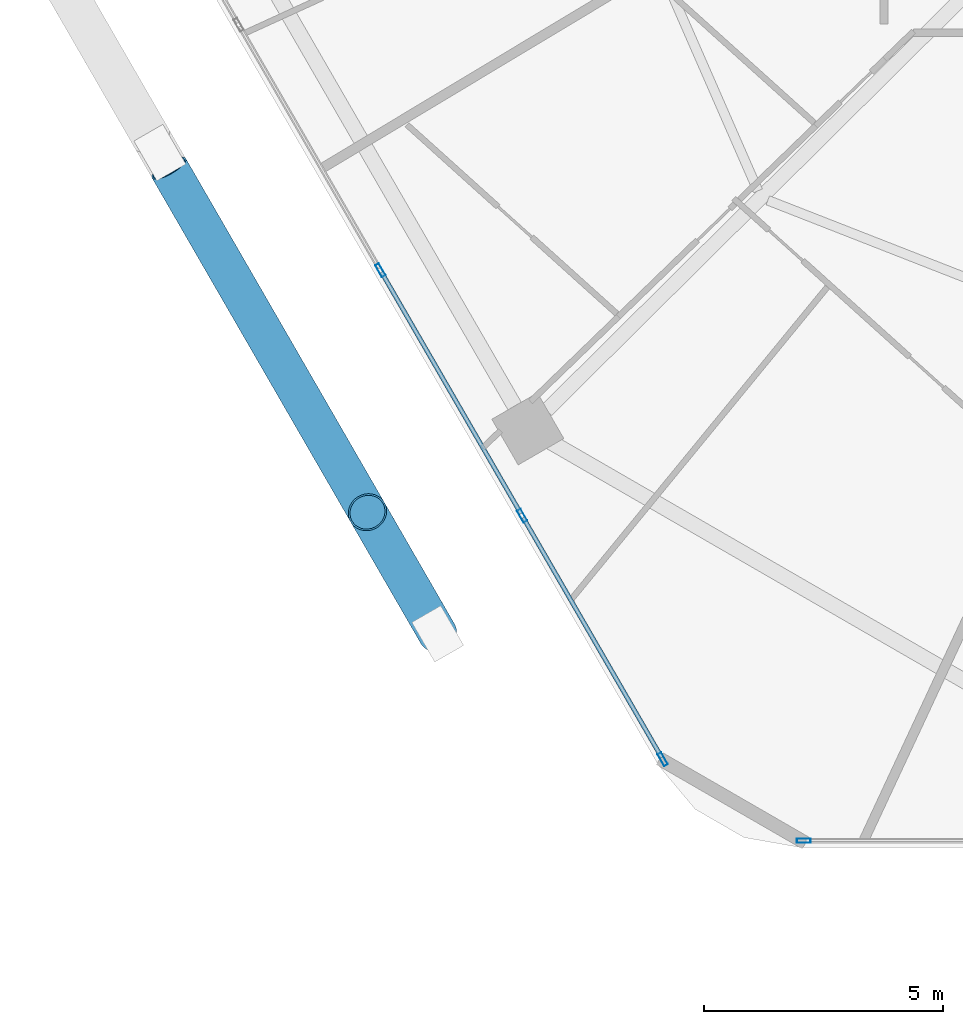
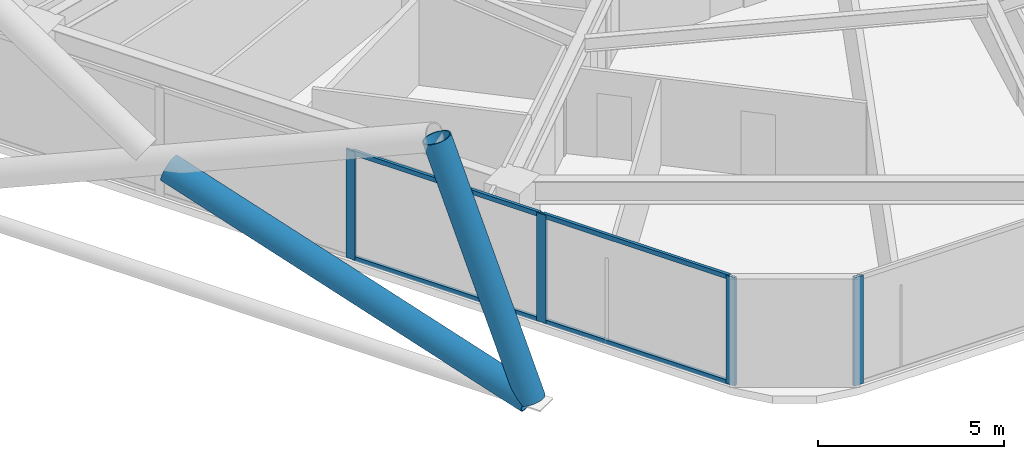
# One storey, part 2 of 36: 10 members, 2 elements without a shape of their own.
"""IFC4 building model written with IfcOpenShell, lengths in metres."""

from ifc_helpers import new_model, si_unit, direction, frame, origin, origin_2d, place, context, subcontext, project, spatial, hollow_rectangle, hollow_circle, extrude, material, material_profile, profile_set, type_object, element, aggregate, save


model = new_model("IFC4")

# Units and contexts
model_context = context("Model", 3, precision=1e-05, world=origin(), true_north=direction((0.0, 1.0)))
body_context = subcontext(model_context, "Body", "Model", "MODEL_VIEW")
ifc_project = project(units=[si_unit("LENGTHUNIT", "METRE"), si_unit("AREAUNIT", "SQUARE_METRE"), si_unit("VOLUMEUNIT", "CUBIC_METRE"), si_unit("PLANEANGLEUNIT", "RADIAN"), si_unit("MASSUNIT", "GRAM", prefix="KILO")], contexts=[model_context])

# Site, building, storey
site_placement = place(None, origin())
site = spatial("IfcSite", under=ifc_project, at=site_placement, CompositionType="ELEMENT")
building_placement = place(site_placement, origin())
building = spatial("IfcBuilding", under=site, at=building_placement, Name="Zuhravey Tower", CompositionType="ELEMENT")
storey_placement = place(building_placement, frame((0.0, 0.0, 107.60009765625)))
storey = spatial("IfcBuildingStorey", under=building, at=storey_placement, Name="L26", CompositionType="ELEMENT", Elevation=107.60009765625)

# Curtain wall, member
ifc_material_1 = material(Name="Thermally broken anodised aluminium", Category="aluminium")
curtain_wall_type = type_object("IfcCurtainWallType", Name="Zone 1-2 Residential Curtain Wall CW3", PredefinedType="NOTDEFINED", material=ifc_material_1)
curtain_wall_1_placement = place(storey_placement, origin())
curtain_wall_1 = element("IfcCurtainWall", 1, at=curtain_wall_1_placement, inside=storey, type_object=curtain_wall_type, Name="L26 CW3 CW-L26-F5-1", PredefinedType="NOTDEFINED")
ifc_material_2 = material(Name="Anodised aluminium", Category="aluminium")
ifc_material_profile_1 = material_profile(ifc_material_2, hollow_rectangle(XDim=0.090087890625, YDim=0.284912109375, WallThickness=0.0048828125, at=origin_2d()), Name="ALU-RHS-90x285x5")
ifc_profile_set_1 = profile_set([ifc_material_profile_1], Name="Anodised aluminium")
member_type_1 = type_object("IfcMemberType", Name="Curtain-Wall Mullion 90x180", PredefinedType="MULLION", material=ifc_profile_set_1)
member_1_placement = place(storey_placement, frame((21.24560546875, 3.04150390625, 0.0), z_axis=(0.0, 0.0, 1.0), x_axis=(0.0, -1.0, 0.0)))
member_1 = element("IfcMember", 2, at=member_1_placement, type_object=member_type_1, Name="CW3 mullion 6", PredefinedType="MULLION", context=body_context, shape_type="SweptSolid", body=[
    extrude(hollow_rectangle(XDim=0.090087890625, YDim=0.284912109375, WallThickness=0.0048828125, at=origin_2d()), origin(), (0.0, 0.0, 1.0), 3.5498046875),
])
aggregate(curtain_wall_1, [member_1])

# Curtain wall, members
curtain_wall_2_placement = place(storey_placement, origin())
curtain_wall_2 = element("IfcCurtainWall", 3, at=curtain_wall_2_placement, inside=storey, type_object=curtain_wall_type, Name="L26 CW3 CW-L26-F4-1", PredefinedType="NOTDEFINED")
member_2_placement = place(storey_placement, frame((18.298583984375, 4.742919921875, 0.0), z_axis=(0.0, 0.0, 1.0), x_axis=(-0.86602552265, -0.499999794119, 0.0)))
member_2 = element("IfcMember", 4, at=member_2_placement, type_object=member_type_1, Name="CW3 mullion 1", PredefinedType="MULLION", context=body_context, shape_type="SweptSolid", body=[
    extrude(hollow_rectangle(XDim=0.090087890625, YDim=0.284912109375, WallThickness=0.0048828125, at=origin_2d()), origin(), (0.0, 0.0, 1.0), 3.5498046875),
])
member_3_placement = place(storey_placement, frame((15.361083984375, 9.830810546875, 0.0), z_axis=(0.0, 0.0, 1.0), x_axis=(-0.86602552265, -0.499999794119, 0.0)))
member_3 = element("IfcMember", 5, at=member_3_placement, type_object=member_type_1, Name="CW3 mullion 2", PredefinedType="MULLION", context=body_context, shape_type="SweptSolid", body=[
    extrude(hollow_rectangle(XDim=0.090087890625, YDim=0.284912109375, WallThickness=0.0048828125, at=origin_2d()), origin(), (0.0, 0.0, 1.0), 3.5498046875),
])
member_4_placement = place(storey_placement, frame((12.401123046875, 14.95751953125, 0.0), z_axis=(0.0, 0.0, 1.0), x_axis=(-0.86602552265, -0.499999794119, 0.0)))
member_4 = element("IfcMember", 6, at=member_4_placement, type_object=member_type_1, Name="CW3 mullion 3", PredefinedType="MULLION", context=body_context, shape_type="SweptSolid", body=[
    extrude(hollow_rectangle(XDim=0.090087890625, YDim=0.284912109375, WallThickness=0.0048828125, at=origin_2d()), origin(), (0.0, 0.0, 1.0), 3.5498046875),
])
ifc_material_profile_2 = material_profile(ifc_material_2, hollow_rectangle(XDim=0.090087890625, YDim=0.14990234375, WallThickness=0.0048828125, at=origin_2d()), Name="ALU-RHS-90x150x5")
ifc_profile_set_2 = profile_set([ifc_material_profile_2], Name="Anodised aluminium")
member_type_2 = type_object("IfcMemberType", Name="Curtain-Wall Transom 90x150", PredefinedType="USERDEFINED", material=ifc_profile_set_2)
member_5_placement = place(storey_placement, frame((18.27587890625, 4.781982421875, 0.044921875), z_axis=(-0.499992798144, 0.866029561738, 0.0), x_axis=(-0.866029561738, -0.499992798144, 0.0)))
member_5 = element("IfcMember", 7, at=member_5_placement, type_object=member_type_2, Name="CW3 transom 1.1", ObjectType="TRANSOM", PredefinedType="USERDEFINED", context=body_context, shape_type="SweptSolid", body=[
    extrude(hollow_rectangle(XDim=0.090087890625, YDim=0.14990234375, WallThickness=0.0048828125, at=origin_2d()), origin(), (0.0, 0.0, 1.0), 5.78466796875),
])
member_6_placement = place(storey_placement, frame((18.27587890625, 4.781982421875, 3.5048828125), z_axis=(-0.499992798144, 0.866029561738, 0.0), x_axis=(-0.866029561738, -0.499992798144, 0.0)))
member_6 = element("IfcMember", 8, at=member_6_placement, type_object=member_type_2, Name="CW3 transom 1.2", ObjectType="TRANSOM", PredefinedType="USERDEFINED", context=body_context, shape_type="SweptSolid", body=[
    extrude(hollow_rectangle(XDim=0.090087890625, YDim=0.14990234375, WallThickness=0.0048828125, at=origin_2d()), origin(), (0.0, 0.0, 1.0), 5.78466796875),
])
member_7_placement = place(storey_placement, frame((15.338623046875, 9.86962890625, 0.044921875), z_axis=(-0.500012451049, 0.866018215049, 0.0), x_axis=(-0.866018215049, -0.500012451049, 0.0)))
member_7 = element("IfcMember", 9, at=member_7_placement, type_object=member_type_2, Name="CW3 transom 2.1", ObjectType="TRANSOM", PredefinedType="USERDEFINED", context=body_context, shape_type="SweptSolid", body=[
    extrude(hollow_rectangle(XDim=0.090087890625, YDim=0.14990234375, WallThickness=0.0048828125, at=origin_2d()), origin(), (0.0, 0.0, 1.0), 5.829833984375),
])
member_8_placement = place(storey_placement, frame((15.338623046875, 9.86962890625, 3.5048828125), z_axis=(-0.500012451049, 0.866018215049, 0.0), x_axis=(-0.866018215049, -0.500012451049, 0.0)))
member_8 = element("IfcMember", 10, at=member_8_placement, type_object=member_type_2, Name="CW3 transom 2.2", ObjectType="TRANSOM", PredefinedType="USERDEFINED", context=body_context, shape_type="SweptSolid", body=[
    extrude(hollow_rectangle(XDim=0.090087890625, YDim=0.14990234375, WallThickness=0.0048828125, at=origin_2d()), origin(), (0.0, 0.0, 1.0), 5.829833984375),
])
aggregate(curtain_wall_2, [member_2, member_3, member_4, member_5, member_6, member_7, member_8])

# Members
ifc_material_3 = material(Name="Steel SM460", Category="steel")
ifc_material_profile_3 = material_profile(ifc_material_3, hollow_circle(Radius=0.406494140625, WallThickness=0.035888671875, at=origin_2d()), Name="CHS-812.8x36")
ifc_profile_set_3 = profile_set([ifc_material_profile_3], Name="Steel SM460")
member_type_3 = type_object("IfcMemberType", Name="Exoskeleton Zone 1 Diagrid CHS813x36", PredefinedType="BRACE", material=ifc_profile_set_3)
member_9_placement = place(storey_placement, frame((13.59521484375, 7.369384765625, -0.442138671875), z_axis=(-0.180569214941, 0.312719486379, 0.932524145239), x_axis=(-0.866000778371, -0.500042650041, 0.0)))
element("IfcMember", 11, at=member_9_placement, inside=storey, type_object=member_type_3, Name="L26 Face 4 Diagrid Brace 4", PredefinedType="BRACE", context=body_context, shape_type="SweptSolid", body=[
    extrude(hollow_circle(Radius=0.406494140625, WallThickness=0.035888671875, at=origin_2d()), origin(), (0.0, 0.0, 1.0), 8.102783203125),
])
member_10_placement = place(storey_placement, frame((13.573486328125, 7.406982421875, -0.447021484375), z_axis=(-0.475188029637, 0.823049078063, 0.311105370557), x_axis=(-0.866025211119, -0.500000333706, 0.0)))
element("IfcMember", 12, at=member_10_placement, inside=storey, type_object=member_type_3, Name="L26 Face 4 Split Diagrid Brace 3A", PredefinedType="BRACE", context=body_context, shape_type="SweptSolid", body=[
    extrude(hollow_circle(Radius=0.406494140625, WallThickness=0.035888671875, at=origin_2d()), origin(), (0.0, 0.0, 1.0), 11.763427734375),
])

save(model, "model.ifc")
